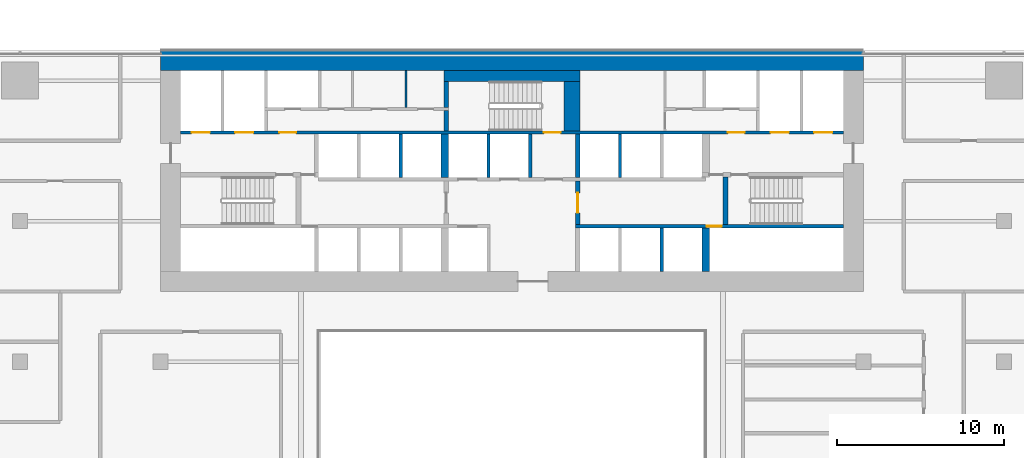
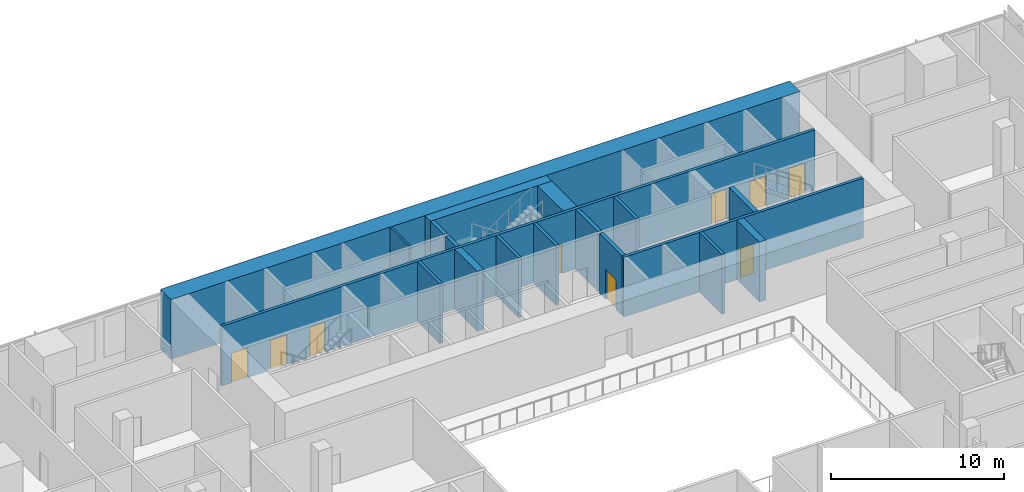
# One storey, part 17 of 23: 18 walls, 9 doors, 9 openings.
"""IFC4 building model written with IfcOpenShell, lengths in metres."""

from ifc_helpers import new_model, si_unit, direction, frame, frame_2d, origin, place, context, subcontext, project, spatial, rectangle, extrude, material, layer, layer_set, type_object, element, fill, save


model = new_model("IFC4")

# Units and contexts
model_context = context("Model", 3, precision=1e-05, world=origin(), true_north=direction((0.0, 1.0)))
body_context = subcontext(model_context, "Body", "Model", "MODEL_VIEW")
ifc_project = project(units=[si_unit("LENGTHUNIT", "METRE"), si_unit("AREAUNIT", "SQUARE_METRE"), si_unit("VOLUMEUNIT", "CUBIC_METRE"), si_unit("PLANEANGLEUNIT", "RADIAN"), si_unit("MASSUNIT", "GRAM", prefix="KILO")], contexts=[model_context])

# Site, building, storey
site_placement = place(None, origin())
site = spatial("IfcSite", under=ifc_project, at=site_placement, CompositionType="ELEMENT")
building_placement = place(site_placement, origin())
building = spatial("IfcBuilding", under=site, at=building_placement, Name="Saffron Gate Tower", CompositionType="ELEMENT")
storey_placement = place(building_placement, frame((0.0, 0.0, 32.699951171875)))
storey = spatial("IfcBuildingStorey", under=building, at=storey_placement, Name="L06", CompositionType="ELEMENT", Elevation=32.699951171875)

# Wall
ifc_material_1 = material(Name="Concrete C70", Category="concrete")
ifc_layer_1 = layer(ifc_material_1, 1.199951171875)
ifc_layer_set_1 = layer_set([ifc_layer_1], Name="CW1 RC core wall 1200 C70")
wall_type_1 = type_object("IfcWallType", Name="CW1 RC core wall 1200 C70", PredefinedType="SOLIDWALL", material=ifc_layer_set_1)
wall_1_placement = place(storey_placement, frame((66.60009765625, 75.0, 0.0), z_axis=(0.0, 0.0, 1.0), x_axis=(1.0, 0.0, 0.0)))
element("IfcWall", 1, at=wall_1_placement, inside=storey, type_object=wall_type_1, Name="Wall CW1-L06-2", PredefinedType="SOLIDWALL", context=body_context, shape_type="SweptSolid", body=[
    extrude(rectangle(XDim=42.0, YDim=1.199951171875, at=frame_2d((21.0, 0.0))), origin(), (0.0, 0.0, 1.0), 4.219970703125),
])

# Wall, opening, door
ifc_layer_2 = layer(ifc_material_1, 0.25)
ifc_layer_set_2 = layer_set([ifc_layer_2], Name="CW2 RC core wall 250 C70")
wall_type_2 = type_object("IfcWallType", Name="CW2 RC core wall 250 C70", PredefinedType="SOLIDWALL", material=ifc_layer_set_2)
wall_2_placement = place(storey_placement, frame((91.52490234375, 65.199951171875, 0.0), z_axis=(0.0, 0.0, 1.0), x_axis=(0.0, 1.0, 0.0)))
wall_2 = element("IfcWall", 2, at=wall_2_placement, inside=storey, type_object=wall_type_2, Name="Wall CW2-L06-18", PredefinedType="SOLIDWALL", context=body_context, shape_type="SweptSolid", body=[
    extrude(rectangle(XDim=2.60009765625, YDim=0.25, at=frame_2d((1.300048828125, 0.0))), origin(), (0.0, 0.0, 1.0), 4.219970703125),
])
opening_1_placement = place(wall_2_placement, frame((0.699951171875, 0.0, 0.0)))
opening_1 = element("IfcOpeningElement", 3, at=opening_1_placement, cuts=wall_2, Name="Opening CR-01", PredefinedType="OPENING", context=body_context, shape_type="SweptSolid", body=[
    extrude(rectangle(XDim=1.199951171875, YDim=2.10009765625, at=frame_2d((0.60009765625, 1.050048828125))), frame((0.0, 0.135009765625, 0.0), z_axis=(0.0, -1.0, 0.0), x_axis=(1.0, 0.0, 0.0)), (0.0, 0.0, 1.0), 0.27001953125),
])
ifc_material_2 = material(Name="Steel fire door set", Category="steel")
door_type_1 = type_object("IfcDoorType", Name="CD3 Lobby door 1200x2100 EI 120", OperationType="NOTDEFINED", PredefinedType="DOOR", material=ifc_material_2)
door_1_placement = place(opening_1_placement, origin())
door_1 = element("IfcDoor", 4, at=door_1_placement, inside=storey, type_object=door_type_1, Name="DOOR CR-01", OperationType="SINGLE_SWING_RIGHT", OverallHeight=2.10009765625, OverallWidth=1.199951171875, PredefinedType="DOOR", context=body_context, shape_type="SweptSolid", body=[
    extrude(rectangle(XDim=1.199951171875, YDim=2.10009765625, at=frame_2d((0.60009765625, 1.050048828125))), frame((0.0, 0.02490234375, 0.0), z_axis=(0.0, -1.0, 0.0), x_axis=(1.0, 0.0, 0.0)), (0.0, 0.0, 1.0), 0.050048828125),
])
fill(opening_1, door_1)

# Walls
wall_3_placement = place(storey_placement, frame((91.52490234375, 68.0, 0.0), z_axis=(0.0, 0.0, 1.0), x_axis=(0.0, 1.0, 0.0)))
element("IfcWall", 5, at=wall_3_placement, inside=storey, type_object=wall_type_2, Name="Wall CW2-L06-26", PredefinedType="SOLIDWALL", context=body_context, shape_type="SweptSolid", body=[
    extrude(rectangle(XDim=2.60009765625, YDim=0.25, at=frame_2d((1.300048828125, 0.0))), origin(), (0.0, 0.0, 1.0), 4.219970703125),
])
wall_4_placement = place(storey_placement, frame((83.675048828125, 70.800048828125, 0.0), z_axis=(0.0, 0.0, 1.0), x_axis=(0.0, 1.0, 0.0)))
element("IfcWall", 6, at=wall_4_placement, inside=storey, type_object=wall_type_2, Name="Wall CW2-L06-37", PredefinedType="SOLIDWALL", context=body_context, shape_type="SweptSolid", body=[
    extrude(rectangle(XDim=1.199951171875, YDim=0.25, at=frame_2d((0.60009765625, 0.0))), origin(), (0.0, 0.0, 1.0), 4.219970703125),
])
wall_5_placement = place(storey_placement, frame((83.675048828125, 72.199951171875, 0.0), z_axis=(0.0, 0.0, 1.0), x_axis=(0.0, 1.0, 0.0)))
element("IfcWall", 7, at=wall_5_placement, inside=storey, type_object=wall_type_2, Name="Wall CW2-L06-48", PredefinedType="SOLIDWALL", context=body_context, shape_type="SweptSolid", body=[
    extrude(rectangle(XDim=1.550048828125, YDim=0.25, at=frame_2d((0.77490234375, 0.0))), origin(), (0.0, 0.0, 1.0), 4.219970703125),
])
ifc_layer_3 = layer(ifc_material_1, 0.199951171875)
ifc_layer_set_3 = layer_set([ifc_layer_3], Name="CW3 RC core wall 200 C70")
wall_type_3 = type_object("IfcWallType", Name="CW3 RC core wall 200 C70", PredefinedType="SOLIDWALL", material=ifc_layer_set_3)
wall_6_placement = place(storey_placement, frame((96.550048828125, 62.39990234375, 0.0), z_axis=(0.0, 0.0, 1.0), x_axis=(0.0, 1.0, 0.0)))
element("IfcWall", 8, at=wall_6_placement, inside=storey, type_object=wall_type_3, Name="Wall CW3-L06-12", PredefinedType="SOLIDWALL", context=body_context, shape_type="SweptSolid", body=[
    extrude(rectangle(XDim=2.60009765625, YDim=0.199951171875, at=frame_2d((1.300048828125, 0.0))), origin(), (0.0, 0.0, 1.0), 4.219970703125),
])

# Wall, opening, door
wall_7_placement = place(storey_placement, frame((91.39990234375, 65.10009765625, 0.0), z_axis=(0.0, 0.0, 1.0), x_axis=(1.0, 0.0, 0.0)))
wall_7 = element("IfcWall", 9, at=wall_7_placement, inside=storey, type_object=wall_type_3, Name="Wall CW3-L06-15", PredefinedType="SOLIDWALL", context=body_context, shape_type="SweptSolid", body=[
    extrude(rectangle(XDim=16.0, YDim=0.199951171875, at=frame_2d((8.0, 0.0))), origin(), (0.0, 0.0, 1.0), 4.219970703125),
])
opening_2_placement = place(wall_7_placement, frame((7.830078125, 0.0, 0.0)))
opening_2 = element("IfcOpeningElement", 10, at=opening_2_placement, cuts=wall_7, Name="Opening CR-48", PredefinedType="OPENING", context=body_context, shape_type="SweptSolid", body=[
    extrude(rectangle(XDim=0.89990234375, YDim=2.10009765625, at=frame_2d((0.449951171875, 1.050048828125))), frame((0.0, 0.10986328125, 0.0), z_axis=(0.0, -1.0, 0.0), x_axis=(1.0, 0.0, 0.0)), (0.0, 0.0, 1.0), 0.219970703125),
])
door_type_2 = type_object("IfcDoorType", Name="CD2 Riser door 900x2100 EI 60", OperationType="NOTDEFINED", PredefinedType="DOOR", material=ifc_material_2)
door_2_placement = place(opening_2_placement, origin())
door_2 = element("IfcDoor", 11, at=door_2_placement, inside=storey, type_object=door_type_2, Name="DOOR CR-48", OperationType="SINGLE_SWING_RIGHT", OverallHeight=2.10009765625, OverallWidth=0.89990234375, PredefinedType="DOOR", context=body_context, shape_type="SweptSolid", body=[
    extrude(rectangle(XDim=0.89990234375, YDim=2.10009765625, at=frame_2d((0.449951171875, 1.050048828125))), frame((0.0, 0.02490234375, 0.0), z_axis=(0.0, -1.0, 0.0), x_axis=(1.0, 0.0, 0.0)), (0.0, 0.0, 1.0), 0.050048828125),
])
fill(opening_2, door_2)

# Walls
for number, where, z_axis, x_axis, name in (
    (12, (80.949951171875, 68.0, 0.0), (0.0, 0.0, 1.0), (0.0, 1.0, 0.0), "Wall CW3-L06-22"),
    (13, (86.199951171875, 68.0, 0.0), (0.0, 0.0, 1.0), (0.0, 1.0, 0.0), "Wall CW3-L06-24"),
    (14, (88.699951171875, 68.0, 0.0), (0.0, 0.0, 1.0), (0.0, 1.0, 0.0), "Wall CW3-L06-25"),
    (15, (94.050048828125, 68.0, 0.0), (0.0, 0.0, 1.0), (0.0, 1.0, 0.0), "Wall CW3-L06-27"),
):
    element("IfcWall", number, at=place(storey_placement, frame(where, z_axis=z_axis, x_axis=x_axis)), inside=storey, type_object=wall_type_3, Name=name, PredefinedType="SOLIDWALL", context=body_context, shape_type="SweptSolid", body=[
        extrude(rectangle(XDim=2.60009765625, YDim=0.199951171875, at=frame_2d((1.300048828125, 0.0))), origin(), (0.0, 0.0, 1.0), 4.219970703125),
    ])

# Wall, openings, doors
wall_8_placement = place(storey_placement, frame((67.800048828125, 70.699951171875, 0.0), z_axis=(0.0, 0.0, 1.0), x_axis=(1.0, 0.0, 0.0)))
wall_8 = element("IfcWall", 16, at=wall_8_placement, inside=storey, type_object=wall_type_3, Name="Wall CW3-L06-34", PredefinedType="SOLIDWALL", context=body_context, shape_type="SweptSolid", body=[
    extrude(rectangle(XDim=39.599853515625, YDim=0.199951171875, at=frame_2d((19.7998046875, 0.0))), origin(), (0.0, 0.0, 1.0), 4.219970703125),
])
opening_3_placement = place(wall_8_placement, frame((0.64990234375, 0.0, 0.0)))
opening_3 = element("IfcOpeningElement", 17, at=opening_3_placement, cuts=wall_8, Name="Opening LD-FF1", PredefinedType="OPENING", context=body_context, shape_type="SweptSolid", body=[
    extrude(rectangle(XDim=1.10009765625, YDim=2.10009765625, at=frame_2d((0.550048828125, 1.050048828125))), frame((0.0, 0.10986328125, 0.0), z_axis=(0.0, -1.0, 0.0), x_axis=(1.0, 0.0, 0.0)), (0.0, 0.0, 1.0), 0.219970703125),
])
opening_4_placement = place(wall_8_placement, frame((3.25, 0.0, 0.0)))
opening_4 = element("IfcOpeningElement", 18, at=opening_4_placement, cuts=wall_8, Name="Opening LD-SV1", PredefinedType="OPENING", context=body_context, shape_type="SweptSolid", body=[
    extrude(rectangle(XDim=1.10009765625, YDim=2.10009765625, at=frame_2d((0.550048828125, 1.050048828125))), frame((0.0, 0.10986328125, 0.0), z_axis=(0.0, -1.0, 0.0), x_axis=(1.0, 0.0, 0.0)), (0.0, 0.0, 1.0), 0.219970703125),
])
opening_5_placement = place(wall_8_placement, frame((5.89990234375, 0.0, 0.0)))
opening_5 = element("IfcOpeningElement", 19, at=opening_5_placement, cuts=wall_8, Name="Opening CR-03", PredefinedType="OPENING", context=body_context, shape_type="SweptSolid", body=[
    extrude(rectangle(XDim=1.0, YDim=2.10009765625, at=frame_2d((0.5, 1.050048828125))), frame((0.0, 0.10986328125, 0.0), z_axis=(0.0, -1.0, 0.0), x_axis=(1.0, 0.0, 0.0)), (0.0, 0.0, 1.0), 0.219970703125),
])
opening_6_placement = place(wall_8_placement, frame((21.699951171875, 0.0, 0.0)))
opening_6 = element("IfcOpeningElement", 20, at=opening_6_placement, cuts=wall_8, Name="Opening CR-17", PredefinedType="OPENING", context=body_context, shape_type="SweptSolid", body=[
    extrude(rectangle(XDim=1.0, YDim=2.10009765625, at=frame_2d((0.5, 1.050048828125))), frame((0.0, 0.10986328125, 0.0), z_axis=(0.0, -1.0, 0.0), x_axis=(1.0, 0.0, 0.0)), (0.0, 0.0, 1.0), 0.219970703125),
])
opening_7_placement = place(wall_8_placement, frame((32.699951171875, 0.0, 0.0)))
opening_7 = element("IfcOpeningElement", 21, at=opening_7_placement, cuts=wall_8, Name="Opening CR-04", PredefinedType="OPENING", context=body_context, shape_type="SweptSolid", body=[
    extrude(rectangle(XDim=1.0, YDim=2.10009765625, at=frame_2d((0.5, 1.050048828125))), frame((0.0, 0.10986328125, 0.0), z_axis=(0.0, -1.0, 0.0), x_axis=(1.0, 0.0, 0.0)), (0.0, 0.0, 1.0), 0.219970703125),
])
opening_8_placement = place(wall_8_placement, frame((35.25, 0.0, 0.0)))
opening_8 = element("IfcOpeningElement", 22, at=opening_8_placement, cuts=wall_8, Name="Opening LD-SV2", PredefinedType="OPENING", context=body_context, shape_type="SweptSolid", body=[
    extrude(rectangle(XDim=1.10009765625, YDim=2.10009765625, at=frame_2d((0.550048828125, 1.050048828125))), frame((0.0, 0.10986328125, 0.0), z_axis=(0.0, -1.0, 0.0), x_axis=(1.0, 0.0, 0.0)), (0.0, 0.0, 1.0), 0.219970703125),
])
opening_9_placement = place(wall_8_placement, frame((37.85009765625, 0.0, 0.0)))
opening_9 = element("IfcOpeningElement", 23, at=opening_9_placement, cuts=wall_8, Name="Opening LD-FF2", PredefinedType="OPENING", context=body_context, shape_type="SweptSolid", body=[
    extrude(rectangle(XDim=1.10009765625, YDim=2.10009765625, at=frame_2d((0.550048828125, 1.050048828125))), frame((0.0, 0.10986328125, 0.0), z_axis=(0.0, -1.0, 0.0), x_axis=(1.0, 0.0, 0.0)), (0.0, 0.0, 1.0), 0.219970703125),
])
door_type_3 = type_object("IfcDoorType", Name="CD4 Lobby door 1000x2100 EI 120", OperationType="NOTDEFINED", PredefinedType="DOOR", material=ifc_material_2)
door_3_placement = place(opening_5_placement, origin())
door_3 = element("IfcDoor", 24, at=door_3_placement, inside=storey, type_object=door_type_3, Name="DOOR CR-03", OperationType="SINGLE_SWING_LEFT", OverallHeight=2.10009765625, OverallWidth=1.0, PredefinedType="DOOR", context=body_context, shape_type="SweptSolid", body=[
    extrude(rectangle(XDim=1.0, YDim=2.10009765625, at=frame_2d((0.5, 1.050048828125))), frame((0.0, 0.02490234375, 0.0), z_axis=(0.0, -1.0, 0.0), x_axis=(1.0, 0.0, 0.0)), (0.0, 0.0, 1.0), 0.050048828125),
])
fill(opening_5, door_3)
door_4_placement = place(opening_7_placement, origin())
door_4 = element("IfcDoor", 25, at=door_4_placement, inside=storey, type_object=door_type_3, Name="DOOR CR-04", OperationType="SINGLE_SWING_RIGHT", OverallHeight=2.10009765625, OverallWidth=1.0, PredefinedType="DOOR", context=body_context, shape_type="SweptSolid", body=[
    extrude(rectangle(XDim=1.0, YDim=2.10009765625, at=frame_2d((0.5, 1.050048828125))), frame((0.0, 0.02490234375, 0.0), z_axis=(0.0, -1.0, 0.0), x_axis=(1.0, 0.0, 0.0)), (0.0, 0.0, 1.0), 0.050048828125),
])
fill(opening_7, door_4)
door_type_4 = type_object("IfcDoorType", Name="CD5 Stair door 1000x2100 EI 120", OperationType="NOTDEFINED", PredefinedType="DOOR", material=ifc_material_2)
door_5_placement = place(opening_6_placement, origin())
door_5 = element("IfcDoor", 26, at=door_5_placement, inside=storey, type_object=door_type_4, Name="DOOR CR-17", OperationType="SINGLE_SWING_RIGHT", OverallHeight=2.10009765625, OverallWidth=1.0, PredefinedType="DOOR", context=body_context, shape_type="SweptSolid", body=[
    extrude(rectangle(XDim=1.0, YDim=2.10009765625, at=frame_2d((0.5, 1.050048828125))), frame((0.0, 0.02490234375, 0.0), z_axis=(0.0, -1.0, 0.0), x_axis=(1.0, 0.0, 0.0)), (0.0, 0.0, 1.0), 0.050048828125),
])
fill(opening_6, door_5)
ifc_material_3 = material(Name="Stainless steel landing door", Category="steel")
door_type_5 = type_object("IfcDoorType", Name="LD Lift landing door 1100x2100 EI 120", OperationType="SLIDING_TO_LEFT", PredefinedType="DOOR", material=ifc_material_3)
door_6_placement = place(opening_3_placement, origin())
door_6 = element("IfcDoor", 27, at=door_6_placement, inside=storey, type_object=door_type_5, Name="LANDING DOOR LD-FF1", OperationType="SLIDING_TO_RIGHT", OverallHeight=2.10009765625, OverallWidth=1.10009765625, PredefinedType="DOOR", context=body_context, shape_type="SweptSolid", body=[
    extrude(rectangle(XDim=1.10009765625, YDim=2.10009765625, at=frame_2d((0.550048828125, 1.050048828125))), frame((0.0, 0.02490234375, 0.0), z_axis=(0.0, -1.0, 0.0), x_axis=(1.0, 0.0, 0.0)), (0.0, 0.0, 1.0), 0.050048828125),
])
fill(opening_3, door_6)
door_7_placement = place(opening_4_placement, origin())
door_7 = element("IfcDoor", 28, at=door_7_placement, inside=storey, type_object=door_type_5, Name="LANDING DOOR LD-SV1", OperationType="SLIDING_TO_RIGHT", OverallHeight=2.10009765625, OverallWidth=1.10009765625, PredefinedType="DOOR", context=body_context, shape_type="SweptSolid", body=[
    extrude(rectangle(XDim=1.10009765625, YDim=2.10009765625, at=frame_2d((0.550048828125, 1.050048828125))), frame((0.0, 0.02490234375, 0.0), z_axis=(0.0, -1.0, 0.0), x_axis=(1.0, 0.0, 0.0)), (0.0, 0.0, 1.0), 0.050048828125),
])
fill(opening_4, door_7)
door_8_placement = place(opening_8_placement, origin())
door_8 = element("IfcDoor", 29, at=door_8_placement, inside=storey, type_object=door_type_5, Name="LANDING DOOR LD-SV2", OperationType="SLIDING_TO_RIGHT", OverallHeight=2.10009765625, OverallWidth=1.10009765625, PredefinedType="DOOR", context=body_context, shape_type="SweptSolid", body=[
    extrude(rectangle(XDim=1.10009765625, YDim=2.10009765625, at=frame_2d((0.550048828125, 1.050048828125))), frame((0.0, 0.02490234375, 0.0), z_axis=(0.0, -1.0, 0.0), x_axis=(1.0, 0.0, 0.0)), (0.0, 0.0, 1.0), 0.050048828125),
])
fill(opening_8, door_8)
door_9_placement = place(opening_9_placement, origin())
door_9 = element("IfcDoor", 30, at=door_9_placement, inside=storey, type_object=door_type_5, Name="LANDING DOOR LD-FF2", OperationType="SLIDING_TO_RIGHT", OverallHeight=2.10009765625, OverallWidth=1.10009765625, PredefinedType="DOOR", context=body_context, shape_type="SweptSolid", body=[
    extrude(rectangle(XDim=1.10009765625, YDim=2.10009765625, at=frame_2d((0.550048828125, 1.050048828125))), frame((0.0, 0.02490234375, 0.0), z_axis=(0.0, -1.0, 0.0), x_axis=(1.0, 0.0, 0.0)), (0.0, 0.0, 1.0), 0.050048828125),
])
fill(opening_9, door_9)

# Walls
ifc_layer_4 = layer(ifc_material_1, 0.449951171875)
ifc_layer_set_4 = layer_set([ifc_layer_4], Name="CW4 RC core wall 450 C70")
wall_type_4 = type_object("IfcWallType", Name="CW4 RC core wall 450 C70", PredefinedType="SOLIDWALL", material=ifc_layer_set_4)
for number, where, z_axis, x_axis, name in (
    (31, (99.175048828125, 62.39990234375, 0.0), (0.0, 0.0, 1.0), (0.0, 1.0, 0.0), "Wall CW4-L06-13"),
    (32, (83.574951171875, 68.0, 0.0), (0.0, 0.0, 1.0), (0.0, 1.0, 0.0), "Wall CW4-L06-23"),
):
    element("IfcWall", number, at=place(storey_placement, frame(where, z_axis=z_axis, x_axis=x_axis)), inside=storey, type_object=wall_type_4, Name=name, PredefinedType="SOLIDWALL", context=body_context, shape_type="SweptSolid", body=[
        extrude(rectangle(XDim=2.60009765625, YDim=0.449951171875, at=frame_2d((1.300048828125, 0.0))), origin(), (0.0, 0.0, 1.0), 4.219970703125),
    ])
ifc_layer_5 = layer(ifc_material_1, 0.300048828125)
ifc_layer_set_5 = layer_set([ifc_layer_5], Name="CW5 RC core wall 300 C70")
wall_type_5 = type_object("IfcWallType", Name="CW5 RC core wall 300 C70", PredefinedType="SOLIDWALL", material=ifc_layer_set_5)
wall_9_placement = place(storey_placement, frame((100.35009765625, 65.199951171875, 0.0), z_axis=(0.0, 0.0, 1.0), x_axis=(0.0, 1.0, 0.0)))
element("IfcWall", 33, at=wall_9_placement, inside=storey, type_object=wall_type_5, Name="Wall CW5-L06-19", PredefinedType="SOLIDWALL", context=body_context, shape_type="SweptSolid", body=[
    extrude(rectangle(XDim=2.85009765625, YDim=0.300048828125, at=frame_2d((1.425048828125, 0.0))), origin(), (0.0, 0.0, 1.0), 4.219970703125),
])
ifc_layer_6 = layer(ifc_material_1, 0.949951171875)
ifc_layer_set_6 = layer_set([ifc_layer_6], Name="CW7 RC core wall 950 C70")
wall_type_6 = type_object("IfcWallType", Name="CW7 RC core wall 950 C70", PredefinedType="SOLIDWALL", material=ifc_layer_set_6)
wall_10_placement = place(storey_placement, frame((91.175048828125, 70.800048828125, 0.0), z_axis=(0.0, 0.0, 1.0), x_axis=(0.0, 1.0, 0.0)))
element("IfcWall", 34, at=wall_10_placement, inside=storey, type_object=wall_type_6, Name="Wall CW7-L06-38", PredefinedType="SOLIDWALL", context=body_context, shape_type="SweptSolid", body=[
    extrude(rectangle(XDim=2.949951171875, YDim=0.949951171875, at=frame_2d((1.47509765625, 0.0))), origin(), (0.0, 0.0, 1.0), 4.219970703125),
])
ifc_material_4 = material(Name="Gypsum board partition on steel studs", Category="steel")
ifc_layer_7 = layer(ifc_material_4, 0.1201171875)
ifc_layer_set_7 = layer_set([ifc_layer_7], Name="CW8 Core partition 120")
wall_type_7 = type_object("IfcWallType", Name="CW8 Core partition 120", PredefinedType="PARTITIONING", material=ifc_layer_set_7)
wall_11_placement = place(storey_placement, frame((81.280029296875, 72.199951171875, 0.0), z_axis=(0.0, 0.0, 1.0), x_axis=(0.0, 1.0, 0.0)))
element("IfcWall", 35, at=wall_11_placement, inside=storey, type_object=wall_type_7, Name="Wall CW8-L06-47", PredefinedType="PARTITIONING", context=body_context, shape_type="SweptSolid", body=[
    extrude(rectangle(XDim=2.199951171875, YDim=0.1201171875, at=frame_2d((1.10009765625, 0.0))), origin(), (0.0, 0.0, 1.0), 4.219970703125),
])
ifc_layer_8 = layer(ifc_material_1, 0.64990234375)
ifc_layer_set_8 = layer_set([ifc_layer_8], Name="CW9 RC core wall 650 C70")
wall_type_8 = type_object("IfcWallType", Name="CW9 RC core wall 650 C70", PredefinedType="SOLIDWALL", material=ifc_layer_set_8)
wall_12_placement = place(storey_placement, frame((83.550048828125, 74.074951171875, 0.0), z_axis=(0.0, 0.0, 1.0), x_axis=(1.0, 0.0, 0.0)))
element("IfcWall", 36, at=wall_12_placement, inside=storey, type_object=wall_type_8, Name="Wall CW9-L06-52", PredefinedType="SOLIDWALL", context=body_context, shape_type="SweptSolid", body=[
    extrude(rectangle(XDim=8.099853515625, YDim=0.64990234375, at=frame_2d((4.0498046875, 0.0))), origin(), (0.0, 0.0, 1.0), 4.219970703125),
])

save(model, "model.ifc")
